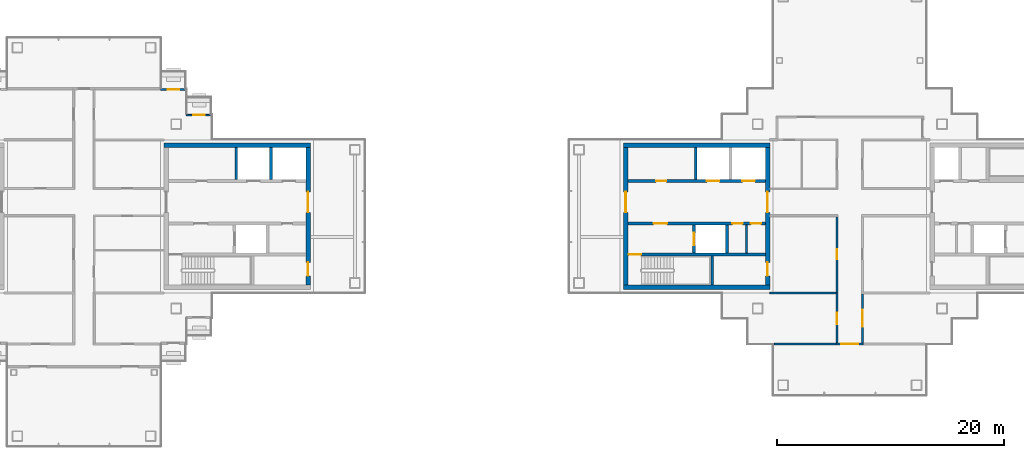
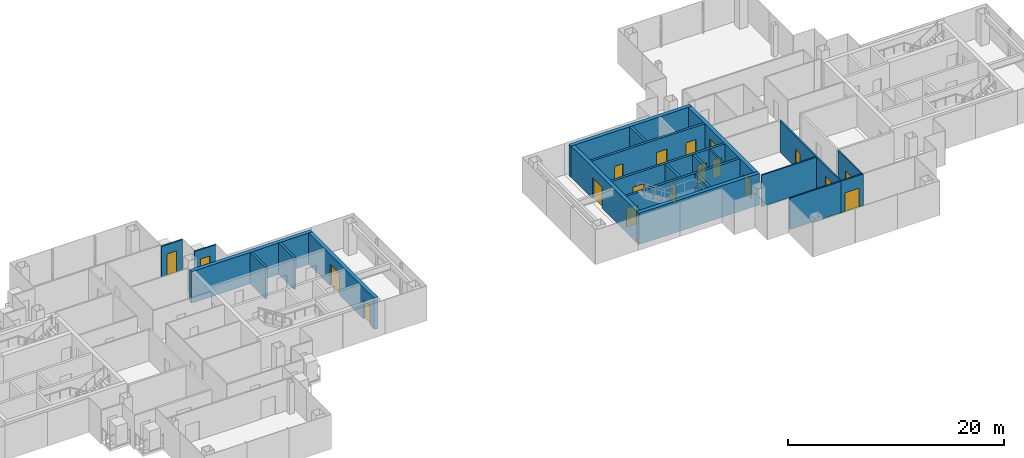
# One storey, part 11 of 16: 23 walls, 19 doors, 19 openings.
"""IFC4 building model written with IfcOpenShell, lengths in metres."""

import ifcopenshell
import ifcopenshell.guid

model = None  # the IFC model being written
_history = None  # IfcOwnerHistory: only IFC2X3 demands one
_inside = {}  # id of a spatial element -> (the spatial element, [elements in it])
_under = {}  # id of a project, library or spatial element -> (it, [spatial elements below it])
_declared = {}  # id of a project -> (the project, [libraries it declares])
_typed = {}  # id of a type object -> (the type object, [elements of that type])
_made_of = {}  # id of a material, layer set ... -> (it, [elements and type objects made of it])


def new_model(schema):
    """Start an empty IFC model of exactly this schema.

    Asked for "IFC4X3", IfcOpenShell would pick the latest addendum, in which some entities
    have other attributes; the version numbers below select the first issue.
    IFC2X3 requires an IfcOwnerHistory on every rooted entity: one is made here for all.
    """
    global model, _history
    if schema == "IFC4X3":
        model = ifcopenshell.file(schema_version=(4, 3, 0, 0))
    else:
        model = ifcopenshell.file(schema=schema)
    _inside.clear()
    _under.clear()
    _declared.clear()
    _typed.clear()
    _made_of.clear()
    _history = None
    if model.schema == "IFC2X3":
        org = make("IfcOrganization", Name="unknown")
        user = make(
            "IfcPersonAndOrganization",
            ThePerson=make("IfcPerson", FamilyName="unknown"),
            TheOrganization=org,
        )
        app = make(
            "IfcApplication",
            ApplicationDeveloper=org,
            Version="unknown",
            ApplicationFullName="unknown",
            ApplicationIdentifier="unknown",
        )
        _history = make(
            "IfcOwnerHistory",
            OwningUser=user,
            OwningApplication=app,
            ChangeAction="ADDED",
            CreationDate=0,
        )
    return model


def make(cls, **values):
    """One entity of the class cls with the attributes given. An attribute that is None is left unset."""
    return model.create_entity(
        cls, **{name: value for name, value in values.items() if value is not None}
    )


def rooted(cls, **values):
    """An entity with a GlobalId (a new one), such as an element, a storey or a relation."""
    return make(cls, GlobalId=ifcopenshell.guid.new(), OwnerHistory=_history, **values)


def si_unit(unit_type, name, prefix=None):
    """IfcSIUnit, for example si_unit("LENGTHUNIT", "METRE", prefix="MILLI")."""
    return make("IfcSIUnit", UnitType=unit_type, Prefix=prefix, Name=name)


def assignment(units):
    """IfcUnitAssignment: the units of a project."""
    return None if units is None else make("IfcUnitAssignment", Units=units)


def point(xyz):
    """IfcCartesianPoint."""
    return None if xyz is None else make("IfcCartesianPoint", Coordinates=xyz)


def direction(xyz):
    """IfcDirection."""
    return None if xyz is None else make("IfcDirection", DirectionRatios=xyz)


def frame(location, z_axis=None, x_axis=None):
    """IfcAxis2Placement3D, a coordinate frame: its origin and axes. An axis left out is left unset."""
    return make(
        "IfcAxis2Placement3D",
        Location=point(location),
        Axis=direction(z_axis),
        RefDirection=direction(x_axis),
    )


def frame_2d(location, x_axis=None):
    """IfcAxis2Placement2D, a coordinate frame in the plane: its origin and x axis."""
    return make(
        "IfcAxis2Placement2D", Location=point(location), RefDirection=direction(x_axis)
    )


def origin():
    """The frame at (0, 0, 0) with its axes left unset."""
    return frame((0.0, 0.0, 0.0))


def place(relative_to, where):
    """IfcLocalPlacement: puts the frame where relative to a parent placement (None: the world)."""
    return make(
        "IfcLocalPlacement", PlacementRelTo=relative_to, RelativePlacement=where
    )


def context(
    kind, dimensions, precision=None, world=None, true_north=None, identifier=None
):
    """IfcGeometricRepresentationContext, for example the 3D "Model" context."""
    return make(
        "IfcGeometricRepresentationContext",
        ContextIdentifier=identifier,
        ContextType=kind,
        CoordinateSpaceDimension=dimensions,
        Precision=precision,
        WorldCoordinateSystem=world,
        TrueNorth=true_north,
    )


def subcontext(parent, identifier, kind, view, scale=None):
    """IfcGeometricRepresentationSubContext, for example "Body" below "Model"."""
    return make(
        "IfcGeometricRepresentationSubContext",
        ContextIdentifier=identifier,
        ContextType=kind,
        ParentContext=parent,
        TargetScale=scale,
        TargetView=view,
    )


def project(units=None, contexts=None):
    """IfcProject with its units and contexts."""
    return rooted(
        "IfcProject",
        Name="project",
        RepresentationContexts=contexts,
        UnitsInContext=assignment(units),
    )


def spatial(cls, under=None, at=None, **own):
    """A site, building, storey or space (cls), placed at a placement, below another one or the project."""
    s = rooted(cls, ObjectPlacement=at, **own)
    if under is not None:
        _under.setdefault(under.id(), (under, []))[1].append(s)
    return s


def profile(cls, at=None, kind="AREA", **sizes):
    """A parametric profile (cls). Its sizes go by their IFC names, for example OverallWidth=200.0."""
    return make(cls, ProfileType=kind, Position=at, **sizes)


def rectangle(**sizes):
    """IfcRectangleProfileDef."""
    return profile("IfcRectangleProfileDef", **sizes)


def extrude(swept, where, along, depth):
    """IfcExtrudedAreaSolid: the profile swept, set in the frame where, extruded along a direction by depth."""
    return make(
        "IfcExtrudedAreaSolid",
        SweptArea=swept,
        Position=where,
        ExtrudedDirection=direction(along),
        Depth=depth,
    )


def shape(context_of_items, identifier, shape_type, items):
    """IfcShapeRepresentation: the items that make up one representation, for example the "Body"."""
    return make(
        "IfcShapeRepresentation",
        ContextOfItems=context_of_items,
        RepresentationIdentifier=identifier,
        RepresentationType=shape_type,
        Items=items,
    )


def material(Name=None, Category=None):
    """IfcMaterial."""
    return make("IfcMaterial", Name=Name, Category=Category)


def layer(
    of_material, thickness, ventilated=None, Name=None, Category=None, Priority=None
):
    """IfcMaterialLayer: one layer of a wall or slab, of a material (None: an air gap)."""
    return make(
        "IfcMaterialLayer",
        Material=of_material,
        LayerThickness=thickness,
        IsVentilated=ventilated,
        Name=Name,
        Category=Category,
        Priority=Priority,
    )


def layer_set(layers, Name=None):
    """IfcMaterialLayerSet."""
    return make("IfcMaterialLayerSet", MaterialLayers=layers, LayerSetName=Name)


def made_of(thing, what):
    """Note that an element or type object is made of a material, layer set ...; save() writes the relation."""
    if what is not None:
        _made_of.setdefault(what.id(), (what, []))[1].append(thing)
    return thing


def type_object(cls, material=None, **own):
    """A type object (cls), such as IfcWallType, which elements share."""
    return made_of(rooted(cls, **own), material)


def element(
    cls,
    number,
    at=None,
    inside=None,
    cuts=None,
    type_object=None,
    material=None,
    context=None,
    identifier="Body",
    shape_type=None,
    held_by="IfcProductDefinitionShape",
    body=None,
    shapes=None,
    **own,
):
    """One element of the class cls, such as IfcWall. Its Tag is "e" and its number.

    at: its placement. inside: the storey or other place that contains it. cuts: it is an
    opening in that element (IfcRelVoidsElement). A single representation is given by context,
    identifier, shape_type and body (its items); several are given by shapes. held_by: the class
    of the entity that holds the representations. save() writes the other relations.
    """
    e = rooted(cls, Tag="e%d" % number, ObjectPlacement=at, **own)
    if body is not None:
        shapes = [shape(context, identifier, shape_type, body)]
    if shapes is not None:
        e.Representation = make(held_by, Representations=shapes)
    if inside is not None:
        _inside.setdefault(inside.id(), (inside, []))[1].append(e)
    if cuts is not None:
        rooted(
            "IfcRelVoidsElement", RelatingBuildingElement=cuts, RelatedOpeningElement=e
        )
    if type_object is not None:
        _typed.setdefault(type_object.id(), (type_object, []))[1].append(e)
    return made_of(e, material)


def fill(opening, filler):
    """IfcRelFillsElement: the door or window that sits in an opening."""
    return rooted(
        "IfcRelFillsElement",
        RelatingOpeningElement=opening,
        RelatedBuildingElement=filler,
    )


def aggregate(whole, parts):
    """IfcRelAggregates: a whole, such as a stair, and the parts it consists of."""
    return rooted("IfcRelAggregates", RelatingObject=whole, RelatedObjects=parts)


def save(model, path):
    """Write the relations noted so far, then the file.

    IfcRelAggregates (storeys below a building ...), IfcRelContainedInSpatialStructure (elements
    in a storey), IfcRelDefinesByType, IfcRelAssociatesMaterial and IfcRelDeclares: one each for
    every whole, place, type object, material and project.
    """
    for whole, parts in _under.values():
        aggregate(whole, parts)
    for where, things in _inside.values():
        rooted(
            "IfcRelContainedInSpatialStructure",
            RelatedElements=things,
            RelatingStructure=where,
        )
    for kind, things in _typed.values():
        rooted("IfcRelDefinesByType", RelatedObjects=things, RelatingType=kind)
    for what, things in _made_of.values():
        rooted("IfcRelAssociatesMaterial", RelatedObjects=things, RelatingMaterial=what)
    for by, libraries in _declared.values():
        rooted("IfcRelDeclares", RelatingContext=by, RelatedDefinitions=libraries)
    model.write(path)


model = new_model("IFC4")

# Units and contexts
model_context = context("Model", 3, precision=1e-05, world=origin(), true_north=direction((0.0, 1.0)))
body_context = subcontext(model_context, "Body", "Model", "MODEL_VIEW")
ifc_project = project(units=[si_unit("LENGTHUNIT", "METRE"), si_unit("AREAUNIT", "SQUARE_METRE"), si_unit("VOLUMEUNIT", "CUBIC_METRE"), si_unit("PLANEANGLEUNIT", "RADIAN"), si_unit("MASSUNIT", "GRAM", prefix="KILO")], contexts=[model_context])

# Site, building, storey
site_placement = place(None, origin())
site = spatial("IfcSite", under=ifc_project, at=site_placement, CompositionType="ELEMENT")
building_placement = place(site_placement, origin())
building = spatial("IfcBuilding", under=site, at=building_placement, Name="Shamsa Quay Exchange Towers", CompositionType="ELEMENT")
storey_placement = place(building_placement, frame((0.0, 0.0, 265.5)))
storey = spatial("IfcBuildingStorey", under=building, at=storey_placement, Name="L64", CompositionType="ELEMENT", Elevation=265.5)

# Wall, opening, door
ifc_material_1 = material(Name="Aluminium EN AW-6063 T6, black anodised, with black enamelled glass infill", Category="aluminium")
ifc_layer_1 = layer(ifc_material_1, 0.14990234375)
ifc_layer_set_1 = layer_set([ifc_layer_1], Name="BALCONY DOOR BAY WALL 150")
wall_type_1 = type_object("IfcWallType", Name="BALCONY DOOR BAY WALL 150", PredefinedType="SOLIDWALL", material=ifc_layer_set_1)
wall_1_placement = place(storey_placement, frame((-24.75, 8.925048828125, 0.0)))
wall_1 = element("IfcWall", 1, at=wall_1_placement, inside=storey, type_object=wall_type_1, Name="Door bay T1-PKEN L64", PredefinedType="SOLIDWALL", context=body_context, shape_type="SweptSolid", body=[
    extrude(rectangle(XDim=2.25, YDim=0.14990234375, at=frame_2d((1.125, 0.0))), origin(), (0.0, 0.0, 1.0), 3.449951171875),
])
opening_1_placement = place(wall_1_placement, frame((0.625, 0.0, 0.0)))
opening_1 = element("IfcOpeningElement", 2, at=opening_1_placement, cuts=wall_1, Name="Opening XD433", PredefinedType="OPENING", context=body_context, shape_type="SweptSolid", body=[
    extrude(rectangle(XDim=1.0, YDim=2.39990234375, at=frame_2d((0.5, 1.199951171875))), frame((0.0, 0.0849609375, 0.0), z_axis=(0.0, -1.0, 0.0), x_axis=(1.0, 0.0, 0.0)), (0.0, 0.0, 1.0), 0.169921875),
])
ifc_material_2 = material(Name="Aluminium EN AW-6063 T6, black anodised, with laminated glass leaf", Category="aluminium")
door_type_1 = type_object("IfcDoorType", Name="BALCONY DOOR 1000x2400", OperationType="SINGLE_SWING_LEFT", PredefinedType="DOOR", material=ifc_material_2)
door_1_placement = place(opening_1_placement, origin())
door_1 = element("IfcDoor", 3, at=door_1_placement, inside=storey, type_object=door_type_1, Name="Balcony door T1-PKEN L64", OperationType="SINGLE_SWING_RIGHT", OverallHeight=2.39990234375, OverallWidth=1.0, PredefinedType="DOOR", context=body_context, shape_type="SweptSolid", body=[
    extrude(rectangle(XDim=1.0, YDim=2.39990234375, at=frame_2d((0.5, 1.199951171875))), frame((0.0, 0.02490234375, 0.0), z_axis=(0.0, -1.0, 0.0), x_axis=(1.0, 0.0, 0.0)), (0.0, 0.0, 1.0), 0.050048828125),
])
fill(opening_1, door_1)

wall_2_placement = place(storey_placement, frame((-27.0, 11.175048828125, 0.0)))
wall_2 = element("IfcWall", 4, at=wall_2_placement, inside=storey, type_object=wall_type_1, Name="Door bay T1-PKEN L64", PredefinedType="SOLIDWALL", context=body_context, shape_type="SweptSolid", body=[
    extrude(rectangle(XDim=2.25, YDim=0.14990234375, at=frame_2d((1.125, 0.0))), origin(), (0.0, 0.0, 1.0), 3.449951171875),
])
opening_2_placement = place(wall_2_placement, frame((0.625, 0.0, 0.0)))
opening_2 = element("IfcOpeningElement", 5, at=opening_2_placement, cuts=wall_2, Name="Opening XD434", PredefinedType="OPENING", context=body_context, shape_type="SweptSolid", body=[
    extrude(rectangle(XDim=1.0, YDim=2.39990234375, at=frame_2d((0.5, 1.199951171875))), frame((0.0, 0.0849609375, 0.0), z_axis=(0.0, -1.0, 0.0), x_axis=(1.0, 0.0, 0.0)), (0.0, 0.0, 1.0), 0.169921875),
])
door_2_placement = place(opening_2_placement, origin())
door_2 = element("IfcDoor", 6, at=door_2_placement, inside=storey, type_object=door_type_1, Name="Balcony door T1-PKEN L64", OperationType="SINGLE_SWING_LEFT", OverallHeight=2.39990234375, OverallWidth=1.0, PredefinedType="DOOR", context=body_context, shape_type="SweptSolid", body=[
    extrude(rectangle(XDim=1.0, YDim=2.39990234375, at=frame_2d((0.5, 1.199951171875))), frame((0.0, 0.02490234375, 0.0), z_axis=(0.0, -1.0, 0.0), x_axis=(1.0, 0.0, 0.0)), (0.0, 0.0, 1.0), 0.050048828125),
])
fill(opening_2, door_2)

# Wall
ifc_material_3 = material(Name="Concrete C60/75", Category="concrete")
ifc_layer_2 = layer(ifc_material_3, 0.39990234375)
ifc_layer_set_2 = layer_set([ifc_layer_2], Name="CORE WALL 400 C60/75")
wall_type_2 = type_object("IfcWallType", Name="CORE WALL 400 C60/75", PredefinedType="SHEAR", material=ifc_layer_set_2)
wall_3_placement = place(storey_placement, frame((-26.699951171875, 6.25, 0.0)))
element("IfcWall", 7, at=wall_3_placement, inside=storey, type_object=wall_type_2, Name="Core wall T1A-R29-PN", PredefinedType="SHEAR", context=body_context, shape_type="SweptSolid", body=[
    extrude(rectangle(XDim=12.89990234375, YDim=0.39990234375, at=frame_2d((6.449951171875, 0.0))), origin(), (0.0, 0.0, 1.0), 3.550048828125),
])

# Wall, openings, doors
wall_4_placement = place(storey_placement, frame((-14.0, 6.050048828125, 0.0), z_axis=(0.0, 0.0, 1.0), x_axis=(0.0, -1.0, 0.0)))
wall_4 = element("IfcWall", 8, at=wall_4_placement, inside=storey, type_object=wall_type_2, Name="Core wall T1A-R29-PB", PredefinedType="SHEAR", context=body_context, shape_type="SweptSolid", body=[
    extrude(rectangle(XDim=12.10009765625, YDim=0.39990234375, at=frame_2d((6.050048828125, 0.0))), origin(), (0.0, 0.0, 1.0), 3.550048828125),
])
opening_3_placement = place(wall_4_placement, frame((10.10009765625, 0.0, 0.0)))
opening_3 = element("IfcOpeningElement", 9, at=opening_3_placement, cuts=wall_4, Name="Opening T1A-R29-RD02", PredefinedType="OPENING", context=body_context, shape_type="SweptSolid", body=[
    extrude(rectangle(XDim=1.199951171875, YDim=2.10009765625, at=frame_2d((0.60009765625, 1.050048828125))), frame((0.0, 0.2099609375, 0.0), z_axis=(0.0, -1.0, 0.0), x_axis=(1.0, 0.0, 0.0)), (0.0, 0.0, 1.0), 0.419921875),
])
opening_4_placement = place(wall_4_placement, frame((3.89990234375, 0.0, 0.0)))
opening_4 = element("IfcOpeningElement", 10, at=opening_4_placement, cuts=wall_4, Name="Opening T1A-R29-LBD03", PredefinedType="OPENING", context=body_context, shape_type="SweptSolid", body=[
    extrude(rectangle(XDim=1.800048828125, YDim=2.39990234375, at=frame_2d((0.89990234375, 1.199951171875))), frame((0.0, 0.2099609375, 0.0), z_axis=(0.0, -1.0, 0.0), x_axis=(1.0, 0.0, 0.0)), (0.0, 0.0, 1.0), 0.419921875),
])
ifc_material_4 = material(Name="Steel, fire rated", Category="steel")
door_type_2 = type_object("IfcDoorType", Name="LIFT LOBBY DOOR PAIR 1800", OperationType="DOUBLE_DOOR_SINGLE_SWING", PredefinedType="DOOR", material=ifc_material_4)
door_3_placement = place(opening_4_placement, origin())
door_3 = element("IfcDoor", 11, at=door_3_placement, inside=storey, type_object=door_type_2, Name="T1A-R29-LBD03", OperationType="DOUBLE_DOOR_SINGLE_SWING", OverallHeight=2.39990234375, OverallWidth=1.800048828125, PredefinedType="DOOR", context=body_context, shape_type="SweptSolid", body=[
    extrude(rectangle(XDim=1.800048828125, YDim=2.39990234375, at=frame_2d((0.89990234375, 1.199951171875))), frame((0.0, 0.02490234375, 0.0), z_axis=(0.0, -1.0, 0.0), x_axis=(1.0, 0.0, 0.0)), (0.0, 0.0, 1.0), 0.050048828125),
])
fill(opening_4, door_3)
door_type_3 = type_object("IfcDoorType", Name="RISER ACCESS DOOR 1200", OperationType="SINGLE_SWING_LEFT", PredefinedType="DOOR", material=ifc_material_4)
door_4_placement = place(opening_3_placement, origin())
door_4 = element("IfcDoor", 12, at=door_4_placement, inside=storey, type_object=door_type_3, Name="T1A-R29-RD02", OperationType="SINGLE_SWING_RIGHT", OverallHeight=2.10009765625, OverallWidth=1.199951171875, PredefinedType="DOOR", context=body_context, shape_type="SweptSolid", body=[
    extrude(rectangle(XDim=1.199951171875, YDim=2.10009765625, at=frame_2d((0.60009765625, 1.050048828125))), frame((0.0, 0.02490234375, 0.0), z_axis=(0.0, -1.0, 0.0), x_axis=(1.0, 0.0, 0.0)), (0.0, 0.0, 1.0), 0.050048828125),
])
fill(opening_3, door_4)

# Walls
for number, where, name in (
    (13, (13.800048828125, -6.25, 0.0), "Core wall T2A-R29-PS"),
    (14, (13.800048828125, 6.25, 0.0), "Core wall T2A-R29-PN"),
):
    element("IfcWall", number, at=place(storey_placement, frame(where)), inside=storey, type_object=wall_type_2, Name=name, PredefinedType="SHEAR", context=body_context, shape_type="SweptSolid", body=[
        extrude(rectangle(XDim=12.89990234375, YDim=0.39990234375, at=frame_2d((6.449951171875, 0.0))), origin(), (0.0, 0.0, 1.0), 3.550048828125),
    ])

# Wall, opening, door
wall_5_placement = place(storey_placement, frame((14.0, 6.050048828125, 0.0), z_axis=(0.0, 0.0, 1.0), x_axis=(0.0, -1.0, 0.0)))
wall_5 = element("IfcWall", 15, at=wall_5_placement, inside=storey, type_object=wall_type_2, Name="Core wall T2A-R29-PF", PredefinedType="SHEAR", context=body_context, shape_type="SweptSolid", body=[
    extrude(rectangle(XDim=12.10009765625, YDim=0.39990234375, at=frame_2d((6.050048828125, 0.0))), origin(), (0.0, 0.0, 1.0), 3.550048828125),
])
opening_5_placement = place(wall_5_placement, frame((3.89990234375, 0.0, 0.0)))
opening_5 = element("IfcOpeningElement", 16, at=opening_5_placement, cuts=wall_5, Name="Opening T2A-R29-LBD01", PredefinedType="OPENING", context=body_context, shape_type="SweptSolid", body=[
    extrude(rectangle(XDim=1.800048828125, YDim=2.39990234375, at=frame_2d((0.89990234375, 1.199951171875))), frame((0.0, 0.2099609375, 0.0), z_axis=(0.0, -1.0, 0.0), x_axis=(1.0, 0.0, 0.0)), (0.0, 0.0, 1.0), 0.419921875),
])
door_5_placement = place(opening_5_placement, origin())
door_5 = element("IfcDoor", 17, at=door_5_placement, inside=storey, type_object=door_type_2, Name="T2A-R29-LBD01", OperationType="DOUBLE_DOOR_SINGLE_SWING", OverallHeight=2.39990234375, OverallWidth=1.800048828125, PredefinedType="DOOR", context=body_context, shape_type="SweptSolid", body=[
    extrude(rectangle(XDim=1.800048828125, YDim=2.39990234375, at=frame_2d((0.89990234375, 1.199951171875))), frame((0.0, 0.02490234375, 0.0), z_axis=(0.0, -1.0, 0.0), x_axis=(1.0, 0.0, 0.0)), (0.0, 0.0, 1.0), 0.050048828125),
])
fill(opening_5, door_5)

# Wall, openings, doors
wall_6_placement = place(storey_placement, frame((26.5, 6.050048828125, 0.0), z_axis=(0.0, 0.0, 1.0), x_axis=(0.0, -1.0, 0.0)))
wall_6 = element("IfcWall", 18, at=wall_6_placement, inside=storey, type_object=wall_type_2, Name="Core wall T2A-R29-PB", PredefinedType="SHEAR", context=body_context, shape_type="SweptSolid", body=[
    extrude(rectangle(XDim=12.10009765625, YDim=0.39990234375, at=frame_2d((6.050048828125, 0.0))), origin(), (0.0, 0.0, 1.0), 3.550048828125),
])
opening_6_placement = place(wall_6_placement, frame((10.10009765625, 0.0, 0.0)))
opening_6 = element("IfcOpeningElement", 19, at=opening_6_placement, cuts=wall_6, Name="Opening T2A-R29-RD02", PredefinedType="OPENING", context=body_context, shape_type="SweptSolid", body=[
    extrude(rectangle(XDim=1.199951171875, YDim=2.10009765625, at=frame_2d((0.60009765625, 1.050048828125))), frame((0.0, 0.2099609375, 0.0), z_axis=(0.0, -1.0, 0.0), x_axis=(1.0, 0.0, 0.0)), (0.0, 0.0, 1.0), 0.419921875),
])
opening_7_placement = place(wall_6_placement, frame((3.89990234375, 0.0, 0.0)))
opening_7 = element("IfcOpeningElement", 20, at=opening_7_placement, cuts=wall_6, Name="Opening T2A-R29-LBD03", PredefinedType="OPENING", context=body_context, shape_type="SweptSolid", body=[
    extrude(rectangle(XDim=1.800048828125, YDim=2.39990234375, at=frame_2d((0.89990234375, 1.199951171875))), frame((0.0, 0.2099609375, 0.0), z_axis=(0.0, -1.0, 0.0), x_axis=(1.0, 0.0, 0.0)), (0.0, 0.0, 1.0), 0.419921875),
])
door_6_placement = place(opening_7_placement, origin())
door_6 = element("IfcDoor", 21, at=door_6_placement, inside=storey, type_object=door_type_2, Name="T2A-R29-LBD03", OperationType="DOUBLE_DOOR_SINGLE_SWING", OverallHeight=2.39990234375, OverallWidth=1.800048828125, PredefinedType="DOOR", context=body_context, shape_type="SweptSolid", body=[
    extrude(rectangle(XDim=1.800048828125, YDim=2.39990234375, at=frame_2d((0.89990234375, 1.199951171875))), frame((0.0, 0.02490234375, 0.0), z_axis=(0.0, -1.0, 0.0), x_axis=(1.0, 0.0, 0.0)), (0.0, 0.0, 1.0), 0.050048828125),
])
fill(opening_7, door_6)
door_7_placement = place(opening_6_placement, origin())
door_7 = element("IfcDoor", 22, at=door_7_placement, inside=storey, type_object=door_type_3, Name="T2A-R29-RD02", OperationType="SINGLE_SWING_RIGHT", OverallHeight=2.10009765625, OverallWidth=1.199951171875, PredefinedType="DOOR", context=body_context, shape_type="SweptSolid", body=[
    extrude(rectangle(XDim=1.199951171875, YDim=2.10009765625, at=frame_2d((0.60009765625, 1.050048828125))), frame((0.0, 0.02490234375, 0.0), z_axis=(0.0, -1.0, 0.0), x_axis=(1.0, 0.0, 0.0)), (0.0, 0.0, 1.0), 0.050048828125),
])
fill(opening_6, door_7)

# Wall
ifc_material_5 = material(Name="Gypsum board on steel studs, EI 60", Category="steel")
ifc_layer_3 = layer(ifc_material_5, 0.14990234375)
ifc_layer_set_3 = layer_set([ifc_layer_3], Name="FIRE PARTITION 150")
wall_type_3 = type_object("IfcWallType", Name="FIRE PARTITION 150", PredefinedType="PARTITIONING", material=ifc_layer_set_3)
wall_7_placement = place(storey_placement, frame((24.64990234375, -3.25, 0.0), z_axis=(0.0, 0.0, 1.0), x_axis=(0.0, 1.0, 0.0)))
element("IfcWall", 23, at=wall_7_placement, inside=storey, type_object=wall_type_3, Name="Partition T2A-R29-EC0", PredefinedType="PARTITIONING", context=body_context, shape_type="SweptSolid", body=[
    extrude(rectangle(XDim=2.5, YDim=0.14990234375, at=frame_2d((1.25, 0.0))), origin(), (0.0, 0.0, 1.0), 3.550048828125),
])

# Wall, openings, doors
ifc_material_6 = material(Name="Gypsum board partition on metal studs")
ifc_layer_4 = layer(ifc_material_6, 0.14990234375)
ifc_layer_set_4 = layer_set([ifc_layer_4], Name="Partition 150 mm EI 60")
wall_type_4 = type_object("IfcWallType", Name="Partition 150 mm EI 60", PredefinedType="PARTITIONING", material=ifc_layer_set_4)
wall_8_placement = place(storey_placement, frame((32.625, -11.175048828125, 0.0), z_axis=(0.0, 0.0, 1.0), x_axis=(0.0, 1.0, 0.0)))
wall_8 = element("IfcWall", 24, at=wall_8_placement, inside=storey, type_object=wall_type_4, Name="Partition T2-R29-W05", PredefinedType="PARTITIONING", context=body_context, shape_type="SweptSolid", body=[
    extrude(rectangle(XDim=11.14990234375, YDim=0.14990234375, at=frame_2d((5.574951171875, 0.0))), origin(), (0.0, 0.0, 1.0), 3.550048828125),
])
opening_8_placement = place(wall_8_placement, frame((7.375, 0.0, 0.0)))
opening_8 = element("IfcOpeningElement", 25, at=opening_8_placement, cuts=wall_8, Name="Opening T2-R29-D06", PredefinedType="OPENING", context=body_context, shape_type="SweptSolid", body=[
    extrude(rectangle(XDim=0.89990234375, YDim=2.10009765625, at=frame_2d((0.449951171875, 1.050048828125))), frame((0.0, 0.0849609375, 0.0), z_axis=(0.0, -1.0, 0.0), x_axis=(1.0, 0.0, 0.0)), (0.0, 0.0, 1.0), 0.169921875),
])
opening_9_placement = place(wall_8_placement, frame((1.675048828125, 0.0, 0.0)))
opening_9 = element("IfcOpeningElement", 26, at=opening_9_placement, cuts=wall_8, Name="Opening T2-R29-D07", PredefinedType="OPENING", context=body_context, shape_type="SweptSolid", body=[
    extrude(rectangle(XDim=1.0, YDim=2.39990234375, at=frame_2d((0.5, 1.199951171875))), frame((0.0, 0.0849609375, 0.0), z_axis=(0.0, -1.0, 0.0), x_axis=(1.0, 0.0, 0.0)), (0.0, 0.0, 1.0), 0.169921875),
])
ifc_material_7 = material(Name="Timber door leaf in a metal frame", Category="wood")
door_type_4 = type_object("IfcDoorType", Name="Door 1000x2400 FD30S", OperationType="NOTDEFINED", PredefinedType="DOOR", material=ifc_material_7)
door_8_placement = place(opening_9_placement, origin())
door_8 = element("IfcDoor", 27, at=door_8_placement, inside=storey, type_object=door_type_4, Name="Door T2-R29-D07", OperationType="SINGLE_SWING_RIGHT", OverallHeight=2.39990234375, OverallWidth=1.0, PredefinedType="DOOR", context=body_context, shape_type="SweptSolid", body=[
    extrude(rectangle(XDim=1.0, YDim=2.39990234375, at=frame_2d((0.5, 1.199951171875))), frame((0.0, 0.02490234375, 0.0), z_axis=(0.0, -1.0, 0.0), x_axis=(1.0, 0.0, 0.0)), (0.0, 0.0, 1.0), 0.050048828125),
])
fill(opening_9, door_8)
door_type_5 = type_object("IfcDoorType", Name="Door 900x2100 FD30S", OperationType="NOTDEFINED", PredefinedType="DOOR", material=ifc_material_7)
door_9_placement = place(opening_8_placement, origin())
door_9 = element("IfcDoor", 28, at=door_9_placement, inside=storey, type_object=door_type_5, Name="Door T2-R29-D06", OperationType="SINGLE_SWING_RIGHT", OverallHeight=2.10009765625, OverallWidth=0.89990234375, PredefinedType="DOOR", context=body_context, shape_type="SweptSolid", body=[
    extrude(rectangle(XDim=0.89990234375, YDim=2.10009765625, at=frame_2d((0.449951171875, 1.050048828125))), frame((0.0, 0.02490234375, 0.0), z_axis=(0.0, -1.0, 0.0), x_axis=(1.0, 0.0, 0.0)), (0.0, 0.0, 1.0), 0.050048828125),
])
fill(opening_8, door_9)

# Wall, opening, door
wall_9_placement = place(storey_placement, frame((34.875, -6.85009765625, 0.0), z_axis=(0.0, 0.0, 1.0), x_axis=(0.0, -1.0, 0.0)))
wall_9 = element("IfcWall", 29, at=wall_9_placement, inside=storey, type_object=wall_type_4, Name="Partition T2-R29-W14", PredefinedType="PARTITIONING", context=body_context, shape_type="SweptSolid", body=[
    extrude(rectangle(XDim=4.324951171875, YDim=0.14990234375, at=frame_2d((2.16259765625, 0.0))), origin(), (0.0, 0.0, 1.0), 3.550048828125),
])
opening_10_placement = place(wall_9_placement, frame((1.39990234375, 0.0, 0.0)))
opening_10 = element("IfcOpeningElement", 30, at=opening_10_placement, cuts=wall_9, Name="Opening T2-R29-D02", PredefinedType="OPENING", context=body_context, shape_type="SweptSolid", body=[
    extrude(rectangle(XDim=1.5, YDim=2.10009765625, at=frame_2d((0.75, 1.050048828125))), frame((0.0, 0.0849609375, 0.0), z_axis=(0.0, -1.0, 0.0), x_axis=(1.0, 0.0, 0.0)), (0.0, 0.0, 1.0), 0.169921875),
])
door_type_6 = type_object("IfcDoorType", Name="Door 1500x2100 FD30S pair", OperationType="NOTDEFINED", PredefinedType="DOOR", material=ifc_material_7)
door_10_placement = place(opening_10_placement, origin())
door_10 = element("IfcDoor", 31, at=door_10_placement, inside=storey, type_object=door_type_6, Name="Door T2-R29-D02", OperationType="DOUBLE_DOOR_SINGLE_SWING", OverallHeight=2.10009765625, OverallWidth=1.5, PredefinedType="DOOR", context=body_context, shape_type="SweptSolid", body=[
    extrude(rectangle(XDim=1.5, YDim=2.10009765625, at=frame_2d((0.75, 1.050048828125))), frame((0.0, 0.02490234375, 0.0), z_axis=(0.0, -1.0, 0.0), x_axis=(1.0, 0.0, 0.0)), (0.0, 0.0, 1.0), 0.050048828125),
])
fill(opening_10, door_10)

wall_10_placement = place(storey_placement, frame((34.949951171875, -11.25, 0.0), z_axis=(0.0, 0.0, 1.0), x_axis=(-1.0, 0.0, 0.0)))
wall_10 = element("IfcWall", 32, at=wall_10_placement, inside=storey, type_object=wall_type_4, Name="Partition T2-R29-W15", PredefinedType="PARTITIONING", context=body_context, shape_type="SweptSolid", body=[
    extrude(rectangle(XDim=2.39990234375, YDim=0.14990234375, at=frame_2d((1.199951171875, 0.0))), origin(), (0.0, 0.0, 1.0), 3.550048828125),
])
opening_11_placement = place(wall_10_placement, frame((0.449951171875, 0.0, 0.0)))
opening_11 = element("IfcOpeningElement", 33, at=opening_11_placement, cuts=wall_10, Name="Opening T2-R29-D05", PredefinedType="OPENING", context=body_context, shape_type="SweptSolid", body=[
    extrude(rectangle(XDim=1.5, YDim=2.10009765625, at=frame_2d((0.75, 1.050048828125))), frame((0.0, 0.0849609375, 0.0), z_axis=(0.0, -1.0, 0.0), x_axis=(1.0, 0.0, 0.0)), (0.0, 0.0, 1.0), 0.169921875),
])
door_11_placement = place(opening_11_placement, origin())
door_11 = element("IfcDoor", 34, at=door_11_placement, inside=storey, type_object=door_type_6, Name="Door T2-R29-D05", OperationType="DOUBLE_DOOR_SINGLE_SWING", OverallHeight=2.10009765625, OverallWidth=1.5, PredefinedType="DOOR", context=body_context, shape_type="SweptSolid", body=[
    extrude(rectangle(XDim=1.5, YDim=2.10009765625, at=frame_2d((0.75, 1.050048828125))), frame((0.0, 0.02490234375, 0.0), z_axis=(0.0, -1.0, 0.0), x_axis=(1.0, 0.0, 0.0)), (0.0, 0.0, 1.0), 0.050048828125),
])
fill(opening_11, door_11)

# Walls
wall_11_placement = place(storey_placement, frame((26.699951171875, -6.75, 0.0)))
element("IfcWall", 35, at=wall_11_placement, inside=storey, type_object=wall_type_4, Name="Partition T2-R29-W19", PredefinedType="PARTITIONING", context=body_context, shape_type="SweptSolid", body=[
    extrude(rectangle(XDim=5.85009765625, YDim=0.14990234375, at=frame_2d((2.925048828125, 0.0))), origin(), (0.0, 0.0, 1.0), 3.550048828125),
])
wall_12_placement = place(storey_placement, frame((27.094970703125, -11.25, 0.0)))
element("IfcWall", 36, at=wall_12_placement, inside=storey, type_object=wall_type_4, Name="Partition T2-R29-W22", PredefinedType="PARTITIONING", context=body_context, shape_type="SweptSolid", body=[
    extrude(rectangle(XDim=5.60498046875, YDim=0.14990234375, at=frame_2d((2.802490234375, 0.0))), origin(), (0.0, 0.0, 1.0), 3.550048828125),
])
ifc_material_8 = material(Name="Concrete C50/60", Category="concrete")
ifc_layer_5 = layer(ifc_material_8, 0.25)
ifc_layer_set_5 = layer_set([ifc_layer_5], Name="SHAFT WALL 250 C50/60")
wall_type_5 = type_object("IfcWallType", Name="SHAFT WALL 250 C50/60", PredefinedType="SHEAR", material=ifc_layer_set_5)
for number, where, z_axis, x_axis, name in (
    (37, (-20.324951171875, 3.25, 0.0), (0.0, 0.0, 1.0), (0.0, 1.0, 0.0), "Shaft wall T1A-R29-D1"),
    (38, (-17.27490234375, 3.25, 0.0), (0.0, 0.0, 1.0), (0.0, 1.0, 0.0), "Shaft wall T1A-R29-D2"),
):
    element("IfcWall", number, at=place(storey_placement, frame(where, z_axis=z_axis, x_axis=x_axis)), inside=storey, type_object=wall_type_5, Name=name, PredefinedType="SHEAR", context=body_context, shape_type="SweptSolid", body=[
        extrude(rectangle(XDim=2.800048828125, YDim=0.25, at=frame_2d((1.39990234375, 0.0))), origin(), (0.0, 0.0, 1.0), 3.550048828125),
    ])

# Wall, opening, door
wall_13_placement = place(storey_placement, frame((26.300048828125, -3.375, 0.0), z_axis=(0.0, 0.0, 1.0), x_axis=(-1.0, 0.0, 0.0)))
wall_13 = element("IfcWall", 39, at=wall_13_placement, inside=storey, type_object=wall_type_5, Name="Shaft wall T2A-R29-STL", PredefinedType="SHEAR", context=body_context, shape_type="SweptSolid", body=[
    extrude(rectangle(XDim=12.10009765625, YDim=0.25, at=frame_2d((6.050048828125, 0.0))), origin(), (0.0, 0.0, 1.0), 3.550048828125),
])
opening_12_placement = place(wall_13_placement, frame((10.949951171875, 0.0, 0.0)))
opening_12 = element("IfcOpeningElement", 40, at=opening_12_placement, cuts=wall_13, Name="Opening T2A-R29-SD04", PredefinedType="OPENING", context=body_context, shape_type="SweptSolid", body=[
    extrude(rectangle(XDim=1.10009765625, YDim=2.10009765625, at=frame_2d((0.550048828125, 1.050048828125))), frame((0.0, 0.135009765625, 0.0), z_axis=(0.0, -1.0, 0.0), x_axis=(1.0, 0.0, 0.0)), (0.0, 0.0, 1.0), 0.27001953125),
])
door_type_7 = type_object("IfcDoorType", Name="STAIR DOOR 1100", OperationType="SINGLE_SWING_LEFT", PredefinedType="DOOR", material=ifc_material_4)
door_12_placement = place(opening_12_placement, origin())
door_12 = element("IfcDoor", 41, at=door_12_placement, inside=storey, type_object=door_type_7, Name="T2A-R29-SD04", OperationType="SINGLE_SWING_RIGHT", OverallHeight=2.10009765625, OverallWidth=1.10009765625, PredefinedType="DOOR", context=body_context, shape_type="SweptSolid", body=[
    extrude(rectangle(XDim=1.10009765625, YDim=2.10009765625, at=frame_2d((0.550048828125, 1.050048828125))), frame((0.0, 0.02490234375, 0.0), z_axis=(0.0, -1.0, 0.0), x_axis=(1.0, 0.0, 0.0)), (0.0, 0.0, 1.0), 0.050048828125),
])
fill(opening_12, door_12)

# Wall
wall_14_placement = place(storey_placement, frame((21.625, -6.050048828125, 0.0), z_axis=(0.0, 0.0, 1.0), x_axis=(0.0, 1.0, 0.0)))
element("IfcWall", 42, at=wall_14_placement, inside=storey, type_object=wall_type_5, Name="Shaft wall T2A-R29-STF", PredefinedType="SHEAR", context=body_context, shape_type="SweptSolid", body=[
    extrude(rectangle(XDim=2.550048828125, YDim=0.25, at=frame_2d((1.27490234375, 0.0))), origin(), (0.0, 0.0, 1.0), 3.550048828125),
])

# Wall, openings, doors
wall_15_placement = place(storey_placement, frame((26.300048828125, -0.625, 0.0), z_axis=(0.0, 0.0, 1.0), x_axis=(-1.0, 0.0, 0.0)))
wall_15 = element("IfcWall", 43, at=wall_15_placement, inside=storey, type_object=wall_type_5, Name="Shaft wall T2A-R29-B", PredefinedType="SHEAR", context=body_context, shape_type="SweptSolid", body=[
    extrude(rectangle(XDim=12.10009765625, YDim=0.25, at=frame_2d((6.050048828125, 0.0))), origin(), (0.0, 0.0, 1.0), 3.550048828125),
])
opening_13_placement = place(wall_15_placement, frame((8.64990234375, 0.0, 0.0)))
opening_13 = element("IfcOpeningElement", 44, at=opening_13_placement, cuts=wall_15, Name="Opening T2A-R29-FD05", PredefinedType="OPENING", context=body_context, shape_type="SweptSolid", body=[
    extrude(rectangle(XDim=1.199951171875, YDim=2.10009765625, at=frame_2d((0.60009765625, 1.050048828125))), frame((0.0, 0.135009765625, 0.0), z_axis=(0.0, -1.0, 0.0), x_axis=(1.0, 0.0, 0.0)), (0.0, 0.0, 1.0), 0.27001953125),
])
opening_14_placement = place(wall_15_placement, frame((2.0, 0.0, 0.0)))
opening_14 = element("IfcOpeningElement", 45, at=opening_14_placement, cuts=wall_15, Name="Opening T2A-R29-SV06", PredefinedType="OPENING", context=body_context, shape_type="SweptSolid", body=[
    extrude(rectangle(XDim=0.89990234375, YDim=2.10009765625, at=frame_2d((0.449951171875, 1.050048828125))), frame((0.0, 0.135009765625, 0.0), z_axis=(0.0, -1.0, 0.0), x_axis=(1.0, 0.0, 0.0)), (0.0, 0.0, 1.0), 0.27001953125),
])
opening_15_placement = place(wall_15_placement, frame((0.375, 0.0, 0.0)))
opening_15 = element("IfcOpeningElement", 46, at=opening_15_placement, cuts=wall_15, Name="Opening T2A-R29-SV07", PredefinedType="OPENING", context=body_context, shape_type="SweptSolid", body=[
    extrude(rectangle(XDim=0.89990234375, YDim=2.10009765625, at=frame_2d((0.449951171875, 1.050048828125))), frame((0.0, 0.135009765625, 0.0), z_axis=(0.0, -1.0, 0.0), x_axis=(1.0, 0.0, 0.0)), (0.0, 0.0, 1.0), 0.27001953125),
])
door_type_8 = type_object("IfcDoorType", Name="FIRE SERVICE LOBBY DOOR 1200", OperationType="SINGLE_SWING_LEFT", PredefinedType="DOOR", material=ifc_material_4)
door_13_placement = place(opening_13_placement, origin())
door_13 = element("IfcDoor", 47, at=door_13_placement, inside=storey, type_object=door_type_8, Name="T2A-R29-FD05", OperationType="SINGLE_SWING_RIGHT", OverallHeight=2.10009765625, OverallWidth=1.199951171875, PredefinedType="DOOR", context=body_context, shape_type="SweptSolid", body=[
    extrude(rectangle(XDim=1.199951171875, YDim=2.10009765625, at=frame_2d((0.60009765625, 1.050048828125))), frame((0.0, 0.02490234375, 0.0), z_axis=(0.0, -1.0, 0.0), x_axis=(1.0, 0.0, 0.0)), (0.0, 0.0, 1.0), 0.050048828125),
])
fill(opening_13, door_13)
door_type_9 = type_object("IfcDoorType", Name="SERVICE ROOM DOOR 900", OperationType="SINGLE_SWING_LEFT", PredefinedType="DOOR", material=ifc_material_4)
door_14_placement = place(opening_14_placement, origin())
door_14 = element("IfcDoor", 48, at=door_14_placement, inside=storey, type_object=door_type_9, Name="T2A-R29-SV06", OperationType="SINGLE_SWING_LEFT", OverallHeight=2.10009765625, OverallWidth=0.89990234375, PredefinedType="DOOR", context=body_context, shape_type="SweptSolid", body=[
    extrude(rectangle(XDim=0.89990234375, YDim=2.10009765625, at=frame_2d((0.449951171875, 1.050048828125))), frame((0.0, 0.02490234375, 0.0), z_axis=(0.0, -1.0, 0.0), x_axis=(1.0, 0.0, 0.0)), (0.0, 0.0, 1.0), 0.050048828125),
])
fill(opening_14, door_14)
door_15_placement = place(opening_15_placement, origin())
door_15 = element("IfcDoor", 49, at=door_15_placement, inside=storey, type_object=door_type_9, Name="T2A-R29-SV07", OperationType="SINGLE_SWING_LEFT", OverallHeight=2.10009765625, OverallWidth=0.89990234375, PredefinedType="DOOR", context=body_context, shape_type="SweptSolid", body=[
    extrude(rectangle(XDim=0.89990234375, YDim=2.10009765625, at=frame_2d((0.449951171875, 1.050048828125))), frame((0.0, 0.02490234375, 0.0), z_axis=(0.0, -1.0, 0.0), x_axis=(1.0, 0.0, 0.0)), (0.0, 0.0, 1.0), 0.050048828125),
])
fill(opening_15, door_15)

# Wall, opening, door
wall_16_placement = place(storey_placement, frame((20.02490234375, -3.25, 0.0), z_axis=(0.0, 0.0, 1.0), x_axis=(0.0, 1.0, 0.0)))
wall_16 = element("IfcWall", 50, at=wall_16_placement, inside=storey, type_object=wall_type_5, Name="Shaft wall T2A-R29-FFF", PredefinedType="SHEAR", context=body_context, shape_type="SweptSolid", body=[
    extrude(rectangle(XDim=2.5, YDim=0.25, at=frame_2d((1.25, 0.0))), origin(), (0.0, 0.0, 1.0), 3.550048828125),
])
opening_16_placement = place(wall_16_placement, frame((0.699951171875, 0.0, 0.0)))
opening_16 = element("IfcOpeningElement", 51, at=opening_16_placement, cuts=wall_16, Name="Opening T2A-R29-LDF08", PredefinedType="OPENING", context=body_context, shape_type="SweptSolid", body=[
    extrude(rectangle(XDim=1.10009765625, YDim=2.10009765625, at=frame_2d((0.550048828125, 1.050048828125))), frame((0.0, 0.135009765625, 0.0), z_axis=(0.0, -1.0, 0.0), x_axis=(1.0, 0.0, 0.0)), (0.0, 0.0, 1.0), 0.27001953125),
])
door_type_10 = type_object("IfcDoorType", Name="FIRE SERVICE LANDING DOOR 1100", OperationType="SLIDING_TO_LEFT", PredefinedType="DOOR", material=ifc_material_4)
door_16_placement = place(opening_16_placement, origin())
door_16 = element("IfcDoor", 52, at=door_16_placement, inside=storey, type_object=door_type_10, Name="T2A-R29-LDF08", OperationType="SLIDING_TO_LEFT", OverallHeight=2.10009765625, OverallWidth=1.10009765625, PredefinedType="DOOR", context=body_context, shape_type="SweptSolid", body=[
    extrude(rectangle(XDim=1.10009765625, YDim=2.10009765625, at=frame_2d((0.550048828125, 1.050048828125))), frame((0.0, 0.02490234375, 0.0), z_axis=(0.0, -1.0, 0.0), x_axis=(1.0, 0.0, 0.0)), (0.0, 0.0, 1.0), 0.050048828125),
])
fill(opening_16, door_16)

# Wall
wall_17_placement = place(storey_placement, frame((22.925048828125, -3.25, 0.0), z_axis=(0.0, 0.0, 1.0), x_axis=(0.0, 1.0, 0.0)))
element("IfcWall", 53, at=wall_17_placement, inside=storey, type_object=wall_type_5, Name="Shaft wall T2A-R29-FFB", PredefinedType="SHEAR", context=body_context, shape_type="SweptSolid", body=[
    extrude(rectangle(XDim=2.5, YDim=0.25, at=frame_2d((1.25, 0.0))), origin(), (0.0, 0.0, 1.0), 3.550048828125),
])

# Wall, openings, doors
wall_18_placement = place(storey_placement, frame((14.199951171875, 3.125, 0.0)))
wall_18 = element("IfcWall", 54, at=wall_18_placement, inside=storey, type_object=wall_type_5, Name="Shaft wall T2A-R29-N", PredefinedType="SHEAR", context=body_context, shape_type="SweptSolid", body=[
    extrude(rectangle(XDim=12.10009765625, YDim=0.25, at=frame_2d((6.050048828125, 0.0))), origin(), (0.0, 0.0, 1.0), 3.550048828125),
])
opening_17_placement = place(wall_18_placement, frame((6.949951171875, 0.0, 0.0)))
opening_17 = element("IfcOpeningElement", 55, at=opening_17_placement, cuts=wall_18, Name="Opening T2A-R29-LD09", PredefinedType="OPENING", context=body_context, shape_type="SweptSolid", body=[
    extrude(rectangle(XDim=1.10009765625, YDim=2.10009765625, at=frame_2d((0.550048828125, 1.050048828125))), frame((0.0, 0.135009765625, 0.0), z_axis=(0.0, -1.0, 0.0), x_axis=(1.0, 0.0, 0.0)), (0.0, 0.0, 1.0), 0.27001953125),
])
opening_18_placement = place(wall_18_placement, frame((10.074951171875, 0.0, 0.0)))
opening_18 = element("IfcOpeningElement", 56, at=opening_18_placement, cuts=wall_18, Name="Opening T2A-R29-LD10", PredefinedType="OPENING", context=body_context, shape_type="SweptSolid", body=[
    extrude(rectangle(XDim=1.10009765625, YDim=2.10009765625, at=frame_2d((0.550048828125, 1.050048828125))), frame((0.0, 0.135009765625, 0.0), z_axis=(0.0, -1.0, 0.0), x_axis=(1.0, 0.0, 0.0)), (0.0, 0.0, 1.0), 0.27001953125),
])
opening_19_placement = place(wall_18_placement, frame((2.47509765625, 0.0, 0.0)))
opening_19 = element("IfcOpeningElement", 57, at=opening_19_placement, cuts=wall_18, Name="Opening T2A-R29-SV11", PredefinedType="OPENING", context=body_context, shape_type="SweptSolid", body=[
    extrude(rectangle(XDim=0.89990234375, YDim=2.10009765625, at=frame_2d((0.449951171875, 1.050048828125))), frame((0.0, 0.135009765625, 0.0), z_axis=(0.0, -1.0, 0.0), x_axis=(1.0, 0.0, 0.0)), (0.0, 0.0, 1.0), 0.27001953125),
])
door_type_11 = type_object("IfcDoorType", Name="LANDING DOOR 1100", OperationType="SLIDING_TO_LEFT", PredefinedType="DOOR", material=ifc_material_4)
door_17_placement = place(opening_17_placement, origin())
door_17 = element("IfcDoor", 58, at=door_17_placement, inside=storey, type_object=door_type_11, Name="T2A-R29-LD09", OperationType="SLIDING_TO_LEFT", OverallHeight=2.10009765625, OverallWidth=1.10009765625, PredefinedType="DOOR", context=body_context, shape_type="SweptSolid", body=[
    extrude(rectangle(XDim=1.10009765625, YDim=2.10009765625, at=frame_2d((0.550048828125, 1.050048828125))), frame((0.0, 0.02490234375, 0.0), z_axis=(0.0, -1.0, 0.0), x_axis=(1.0, 0.0, 0.0)), (0.0, 0.0, 1.0), 0.050048828125),
])
fill(opening_17, door_17)
door_18_placement = place(opening_18_placement, origin())
door_18 = element("IfcDoor", 59, at=door_18_placement, inside=storey, type_object=door_type_11, Name="T2A-R29-LD10", OperationType="SLIDING_TO_LEFT", OverallHeight=2.10009765625, OverallWidth=1.10009765625, PredefinedType="DOOR", context=body_context, shape_type="SweptSolid", body=[
    extrude(rectangle(XDim=1.10009765625, YDim=2.10009765625, at=frame_2d((0.550048828125, 1.050048828125))), frame((0.0, 0.02490234375, 0.0), z_axis=(0.0, -1.0, 0.0), x_axis=(1.0, 0.0, 0.0)), (0.0, 0.0, 1.0), 0.050048828125),
])
fill(opening_18, door_18)
door_19_placement = place(opening_19_placement, origin())
door_19 = element("IfcDoor", 60, at=door_19_placement, inside=storey, type_object=door_type_9, Name="T2A-R29-SV11", OperationType="SINGLE_SWING_LEFT", OverallHeight=2.10009765625, OverallWidth=0.89990234375, PredefinedType="DOOR", context=body_context, shape_type="SweptSolid", body=[
    extrude(rectangle(XDim=0.89990234375, YDim=2.10009765625, at=frame_2d((0.449951171875, 1.050048828125))), frame((0.0, 0.02490234375, 0.0), z_axis=(0.0, -1.0, 0.0), x_axis=(1.0, 0.0, 0.0)), (0.0, 0.0, 1.0), 0.050048828125),
])
fill(opening_19, door_19)

# Wall
wall_19_placement = place(storey_placement, frame((20.175048828125, 3.25, 0.0), z_axis=(0.0, 0.0, 1.0), x_axis=(0.0, 1.0, 0.0)))
element("IfcWall", 61, at=wall_19_placement, inside=storey, type_object=wall_type_5, Name="Shaft wall T2A-R29-D1", PredefinedType="SHEAR", context=body_context, shape_type="SweptSolid", body=[
    extrude(rectangle(XDim=2.800048828125, YDim=0.25, at=frame_2d((1.39990234375, 0.0))), origin(), (0.0, 0.0, 1.0), 3.550048828125),
])

save(model, "model.ifc")
